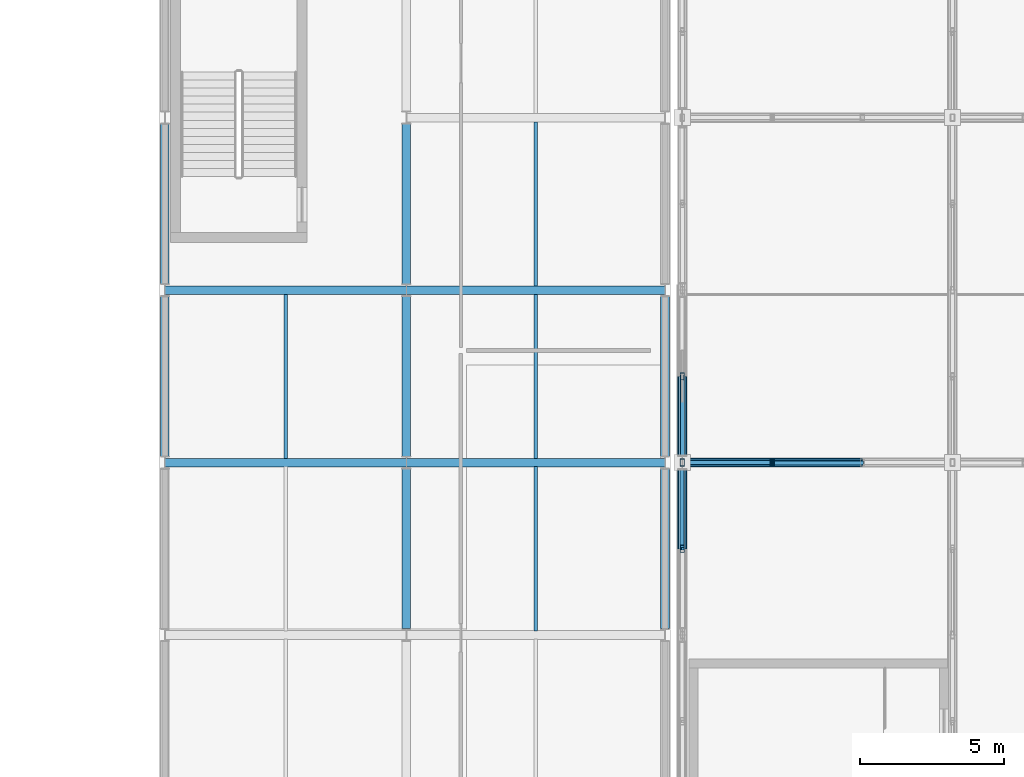
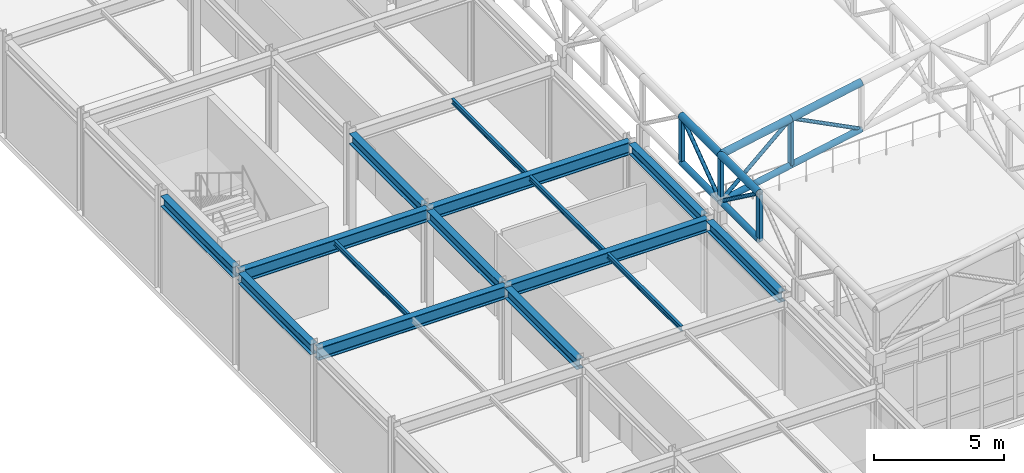
# One storey, part 46 of 112: 16 members, 15 beams.
"""IFC4 building model written with IfcOpenShell, lengths in metres."""

from ifc_helpers import new_model, si_unit, direction, frame, origin, origin_2d, place, context, subcontext, project, spatial, hollow_rectangle, hollow_circle, i_section, extrude, material, material_profile, profile_set, type_object, element, save


model = new_model("IFC4")

# Units and contexts
model_context = context("Model", 3, precision=1e-05, world=origin(), true_north=direction((0.0, 1.0)))
body_context = subcontext(model_context, "Body", "Model", "MODEL_VIEW")
ifc_project = project(units=[si_unit("LENGTHUNIT", "METRE"), si_unit("AREAUNIT", "SQUARE_METRE"), si_unit("VOLUMEUNIT", "CUBIC_METRE"), si_unit("PLANEANGLEUNIT", "RADIAN"), si_unit("MASSUNIT", "GRAM", prefix="KILO")], contexts=[model_context])

# Site, building, storey
site_placement = place(None, origin())
site = spatial("IfcSite", under=ifc_project, at=site_placement, CompositionType="ELEMENT")
building_placement = place(site_placement, origin())
building = spatial("IfcBuilding", under=site, at=building_placement, Name="Kaldris Quays Convention Centre", CompositionType="ELEMENT")
storey_placement = place(building_placement, frame((0.0, 0.0, 16.800048828125)))
storey = spatial("IfcBuildingStorey", under=building, at=storey_placement, Name="L03", CompositionType="ELEMENT", Elevation=16.800048828125)

# Beams
ifc_material_1 = material(Name="Steel S355J2", Category="steel")
ifc_material_profile_1 = material_profile(ifc_material_1, i_section(OverallWidth=0.300048828125, OverallDepth=0.590087890625, WebThickness=0.012939453125, FlangeThickness=0.02490234375, FilletRadius=0.027099609375, at=origin_2d()), Name="HEA 600")
ifc_profile_set_1 = profile_set([ifc_material_profile_1], Name="Steel S355J2")
beam_type_1 = type_object("IfcBeamType", Name="STRUCTURAL BEAM BM08", PredefinedType="BEAM", material=ifc_profile_set_1)
beam_1_placement = place(storey_placement, frame((146.60107421875, 68.0, 4.284912109375), z_axis=(1.0, 0.0, 0.0), x_axis=(0.0, 1.0, 0.0)))
element("IfcBeam", 1, at=beam_1_placement, inside=storey, type_object=beam_type_1, Name="L03 Girder BM08 30", PredefinedType="BEAM", context=body_context, shape_type="SweptSolid", body=[
    extrude(i_section(OverallWidth=0.300048828125, OverallDepth=0.590087890625, WebThickness=0.012939453125, FlangeThickness=0.02490234375, FilletRadius=0.027099609375, at=origin_2d()), origin(), (0.0, 0.0, 1.0), 8.39794921875),
])
beam_2_placement = place(storey_placement, frame((155.0009765625, 68.0, 4.284912109375), z_axis=(1.0, 0.0, 0.0), x_axis=(0.0, 1.0, 0.0)))
element("IfcBeam", 2, at=beam_2_placement, inside=storey, type_object=beam_type_1, Name="L03 Girder BM08 31", PredefinedType="BEAM", context=body_context, shape_type="SweptSolid", body=[
    extrude(i_section(OverallWidth=0.300048828125, OverallDepth=0.590087890625, WebThickness=0.012939453125, FlangeThickness=0.02490234375, FilletRadius=0.027099609375, at=origin_2d()), origin(), (0.0, 0.0, 1.0), 8.998046875),
])
beam_3_placement = place(storey_placement, frame((146.60107421875, 74.0, 4.284912109375), z_axis=(1.0, 0.0, 0.0), x_axis=(0.0, 1.0, 0.0)))
element("IfcBeam", 3, at=beam_3_placement, inside=storey, type_object=beam_type_1, Name="L03 Girder BM08 32", PredefinedType="BEAM", context=body_context, shape_type="SweptSolid", body=[
    extrude(i_section(OverallWidth=0.300048828125, OverallDepth=0.590087890625, WebThickness=0.012939453125, FlangeThickness=0.02490234375, FilletRadius=0.027099609375, at=origin_2d()), origin(), (0.0, 0.0, 1.0), 8.39794921875),
])
beam_4_placement = place(storey_placement, frame((155.0009765625, 74.0, 4.284912109375), z_axis=(1.0, 0.0, 0.0), x_axis=(0.0, 1.0, 0.0)))
element("IfcBeam", 4, at=beam_4_placement, inside=storey, type_object=beam_type_1, Name="L03 Girder BM08 33", PredefinedType="BEAM", context=body_context, shape_type="SweptSolid", body=[
    extrude(i_section(OverallWidth=0.300048828125, OverallDepth=0.590087890625, WebThickness=0.012939453125, FlangeThickness=0.02490234375, FilletRadius=0.027099609375, at=origin_2d()), origin(), (0.0, 0.0, 1.0), 8.998046875),
])
ifc_material_profile_2 = material_profile(ifc_material_1, i_section(OverallWidth=0.300048828125, OverallDepth=0.489990234375, WebThickness=0.011962890625, FlangeThickness=0.02294921875, FilletRadius=0.027099609375, at=origin_2d()), Name="HEA 500")
ifc_profile_set_2 = profile_set([ifc_material_profile_2], Name="Steel S355J2")
beam_type_2 = type_object("IfcBeamType", Name="STRUCTURAL BEAM BM09", PredefinedType="BEAM", material=ifc_profile_set_2)
for number, where, z_axis, x_axis, name in (
    (5, (146.60009765625, 68.218994140625, 4.3349609375), (0.0, 1.0, 0.0), (-1.0, 0.0, 0.0), "L03 Girder BM09 70"),
    (6, (146.60009765625, 74.218994140625, 4.3349609375), (0.0, 1.0, 0.0), (-1.0, 0.0, 0.0), "L03 Girder BM09 71"),
    (7, (155.0, 62.218994140625, 4.3349609375), (0.0, 1.0, 0.0), (-1.0, 0.0, 0.0), "L03 Girder BM09 81"),
    (8, (155.0, 68.218994140625, 4.3349609375), (0.0, 1.0, 0.0), (-1.0, 0.0, 0.0), "L03 Girder BM09 82"),
    (9, (155.0, 74.218994140625, 4.3349609375), (0.0, 1.0, 0.0), (-1.0, 0.0, 0.0), "L03 Girder BM09 83"),
    (10, (164.0, 62.218994140625, 4.3349609375), (0.0, 1.0, 0.0), (-1.0, 0.0, 0.0), "L03 Girder BM09 93"),
    (11, (164.0, 68.218994140625, 4.3349609375), (0.0, 1.0, 0.0), (-1.0, 0.0, 0.0), "L03 Girder BM09 94"),
):
    element("IfcBeam", number, at=place(storey_placement, frame(where, z_axis=z_axis, x_axis=x_axis)), inside=storey, type_object=beam_type_2, Name=name, PredefinedType="BEAM", context=body_context, shape_type="SweptSolid", body=[
        extrude(i_section(OverallWidth=0.300048828125, OverallDepth=0.489990234375, WebThickness=0.011962890625, FlangeThickness=0.02294921875, FilletRadius=0.027099609375, at=origin_2d()), origin(), (0.0, 0.0, 1.0), 5.56201171875),
    ])
ifc_material_profile_3 = material_profile(ifc_material_1, i_section(OverallWidth=0.1201171875, OverallDepth=0.239990234375, WebThickness=0.006103515625, FlangeThickness=0.009765625, FilletRadius=0.014892578125, at=origin_2d()), Name="IPE 240")
ifc_profile_set_3 = profile_set([ifc_material_profile_3], Name="Steel S355J2")
beam_type_3 = type_object("IfcBeamType", Name="STRUCTURAL BEAM JT05", PredefinedType="JOIST", material=ifc_profile_set_3)
for number, where, z_axis, x_axis, name in (
    (12, (159.5, 62.14404296875, 4.4599609375), (0.0, 1.0, 0.0), (-1.0, 0.0, 0.0), "L03 Secondary Joist JT05 15"),
    (13, (150.800048828125, 68.14404296875, 4.4599609375), (0.0, 1.0, 0.0), (-1.0, 0.0, 0.0), "L03 Secondary Joist JT05 16"),
    (14, (159.5, 68.14404296875, 4.4599609375), (0.0, 1.0, 0.0), (-1.0, 0.0, 0.0), "L03 Secondary Joist JT05 17"),
    (15, (159.5, 74.14404296875, 4.4599609375), (0.0, 1.0, 0.0), (-1.0, 0.0, 0.0), "L03 Secondary Joist JT05 18"),
):
    element("IfcBeam", number, at=place(storey_placement, frame(where, z_axis=z_axis, x_axis=x_axis)), inside=storey, type_object=beam_type_3, Name=name, PredefinedType="JOIST", context=body_context, shape_type="SweptSolid", body=[
        extrude(i_section(OverallWidth=0.1201171875, OverallDepth=0.239990234375, WebThickness=0.006103515625, FlangeThickness=0.009765625, FilletRadius=0.014892578125, at=origin_2d()), origin(), (0.0, 0.0, 1.0), 5.7119140625),
    ])

# Members
ifc_material_2 = material(Name="Steel S355J2H", Category="steel")
ifc_material_profile_4 = material_profile(ifc_material_2, hollow_circle(Radius=0.161865234375, WallThickness=0.01611328125, at=origin_2d()), Name="CHS 323.9x16")
ifc_profile_set_4 = profile_set([ifc_material_profile_4], Name="Steel S355J2H")
member_type_1 = type_object("IfcMemberType", Name="STRUCTURAL MEMBER SC03", PredefinedType="CHORD", material=ifc_profile_set_4)
member_1_placement = place(storey_placement, frame((164.60009765625, 68.0, 7.33056640625), z_axis=(0.981908086595, 0.0, 0.189358151342), x_axis=(0.0, 1.0, 0.0)))
element("IfcMember", 16, at=member_1_placement, inside=storey, type_object=member_type_1, Name="SF-V2 Top Chord X 16", PredefinedType="CHORD", context=body_context, shape_type="SweptSolid", body=[
    extrude(hollow_circle(Radius=0.161865234375, WallThickness=0.01611328125, at=origin_2d()), origin(), (0.0, 0.0, 1.0), 3.19091796875),
])
member_2_placement = place(storey_placement, frame((167.7333984375, 68.0, 7.934814453125), z_axis=(0.981893858658, 0.0, 0.189431914761), x_axis=(0.0, 1.0, 0.0)))
element("IfcMember", 17, at=member_2_placement, inside=storey, type_object=member_type_1, Name="SF-V2 Top Chord X 17", PredefinedType="CHORD", context=body_context, shape_type="SweptSolid", body=[
    extrude(hollow_circle(Radius=0.161865234375, WallThickness=0.01611328125, at=origin_2d()), origin(), (0.0, 0.0, 1.0), 3.191162109375),
])
for number, where, z_axis, x_axis, name in (
    (18, (164.60009765625, 65.0, 7.33056640625), (0.0, 1.0, 0.0), (-1.0, 0.0, 0.0), "SF-V2 Top Chord Y 79"),
    (19, (164.60009765625, 68.0, 7.33056640625), (0.0, 1.0, 0.0), (-1.0, 0.0, 0.0), "SF-V2 Top Chord Y 80"),
):
    element("IfcMember", number, at=place(storey_placement, frame(where, z_axis=z_axis, x_axis=x_axis)), inside=storey, type_object=member_type_1, Name=name, PredefinedType="CHORD", context=body_context, shape_type="SweptSolid", body=[
        extrude(hollow_circle(Radius=0.161865234375, WallThickness=0.01611328125, at=origin_2d()), origin(), (0.0, 0.0, 1.0), 3.0),
    ])
ifc_material_profile_5 = material_profile(ifc_material_2, hollow_circle(Radius=0.136474609375, WallThickness=0.012451171875, at=origin_2d()), Name="CHS 273x12.5")
ifc_profile_set_5 = profile_set([ifc_material_profile_5], Name="Steel S355J2H")
member_type_2 = type_object("IfcMemberType", Name="STRUCTURAL MEMBER SC04", PredefinedType="CHORD", material=ifc_profile_set_5)
for number, where, z_axis, x_axis, name in (
    (20, (164.60009765625, 68.0, 5.13037109375), (0.981893858658, 0.0, 0.189431914761), (0.0, 1.0, 0.0), "SF-V2 Bottom Chord X 16"),
    (21, (167.7333984375, 68.0, 5.73486328125), (0.981893858658, 0.0, 0.189431914761), (0.0, 1.0, 0.0), "SF-V2 Bottom Chord X 17"),
):
    element("IfcMember", number, at=place(storey_placement, frame(where, z_axis=z_axis, x_axis=x_axis)), inside=storey, type_object=member_type_2, Name=name, PredefinedType="CHORD", context=body_context, shape_type="SweptSolid", body=[
        extrude(hollow_circle(Radius=0.136474609375, WallThickness=0.012451171875, at=origin_2d()), origin(), (0.0, 0.0, 1.0), 3.191162109375),
    ])
for number, where, z_axis, x_axis, name in (
    (22, (164.60009765625, 65.0, 5.13037109375), (0.0, 1.0, 0.0), (-1.0, 0.0, 0.0), "SF-V2 Bottom Chord Y 79"),
    (23, (164.60009765625, 68.0, 5.13037109375), (0.0, 1.0, 0.0), (-1.0, 0.0, 0.0), "SF-V2 Bottom Chord Y 80"),
):
    element("IfcMember", number, at=place(storey_placement, frame(where, z_axis=z_axis, x_axis=x_axis)), inside=storey, type_object=member_type_2, Name=name, PredefinedType="CHORD", context=body_context, shape_type="SweptSolid", body=[
        extrude(hollow_circle(Radius=0.136474609375, WallThickness=0.012451171875, at=origin_2d()), origin(), (0.0, 0.0, 1.0), 3.0),
    ])
ifc_material_profile_6 = material_profile(ifc_material_2, hollow_circle(Radius=0.084228515625, WallThickness=0.008056640625, at=origin_2d()), Name="CHS 168.3x8")
ifc_profile_set_6 = profile_set([ifc_material_profile_6], Name="Steel S355J2H")
member_type_3 = type_object("IfcMemberType", Name="STRUCTURAL MEMBER SWB2", PredefinedType="BRACE", material=ifc_profile_set_6)
member_3_placement = place(storey_placement, frame((164.60009765625, 68.0, 5.13037109375), z_axis=(0.745127417967, 0.0, 0.666922132631), x_axis=(0.0, 1.0, 0.0)))
element("IfcMember", 24, at=member_3_placement, inside=storey, type_object=member_type_3, Name="SF-V2 Web Diagonal X 16", PredefinedType="BRACE", context=body_context, shape_type="SweptSolid", body=[
    extrude(hollow_circle(Radius=0.084228515625, WallThickness=0.008056640625, at=origin_2d()), origin(), (0.0, 0.0, 1.0), 4.205078125),
])
member_4_placement = place(storey_placement, frame((170.86669921875, 68.0, 6.33935546875), z_axis=(-0.891125852246, 0.0, 0.453756229112), x_axis=(0.0, -1.0, 0.0)))
element("IfcMember", 25, at=member_4_placement, inside=storey, type_object=member_type_3, Name="SF-V2 Web Diagonal X 17", PredefinedType="BRACE", context=body_context, shape_type="SweptSolid", body=[
    extrude(hollow_circle(Radius=0.084228515625, WallThickness=0.008056640625, at=origin_2d()), origin(), (0.0, 0.0, 1.0), 3.51611328125),
])
for number, where, z_axis, x_axis, name in (
    (26, (164.60009765625, 68.0, 5.13037109375), (0.0, -0.806379959628, 0.591397802423), (1.0, 0.0, 0.0), "SF-V2 Web Diagonal Y 79"),
    (27, (164.60009765625, 68.0, 5.13037109375), (0.0, 0.806379959628, 0.591397802423), (-1.0, 0.0, 0.0), "SF-V2 Web Diagonal Y 80"),
):
    element("IfcMember", number, at=place(storey_placement, frame(where, z_axis=z_axis, x_axis=x_axis)), inside=storey, type_object=member_type_3, Name=name, PredefinedType="BRACE", context=body_context, shape_type="SweptSolid", body=[
        extrude(hollow_circle(Radius=0.084228515625, WallThickness=0.008056640625, at=origin_2d()), origin(), (0.0, 0.0, 1.0), 3.72021484375),
    ])
ifc_material_profile_7 = material_profile(ifc_material_2, hollow_rectangle(XDim=0.14990234375, YDim=0.25, WallThickness=0.010009765625, at=origin_2d()), Name="RHS 250x150x10")
ifc_profile_set_7 = profile_set([ifc_material_profile_7], Name="Steel S355J2H")
member_type_4 = type_object("IfcMemberType", Name="STRUCTURAL MEMBER TTV1", PredefinedType="POST", material=ifc_profile_set_7)
member_5_placement = place(storey_placement, frame((164.60009765625, 65.0, 5.13037109375), z_axis=(0.0, 0.0, 1.0), x_axis=(1.0, 0.0, 0.0)))
element("IfcMember", 28, at=member_5_placement, inside=storey, type_object=member_type_4, Name="SF-V2 Space-Frame Post 4", PredefinedType="POST", context=body_context, shape_type="SweptSolid", body=[
    extrude(hollow_rectangle(XDim=0.14990234375, YDim=0.25, WallThickness=0.010009765625, at=origin_2d()), origin(), (0.0, 0.0, 1.0), 2.2001953125),
])
member_6_placement = place(storey_placement, frame((164.60009765625, 68.0, 4.993896484375), z_axis=(0.0, 0.0, 1.0), x_axis=(1.0, 0.0, 0.0)))
element("IfcMember", 29, at=member_6_placement, inside=storey, type_object=member_type_4, Name="SF-V2 Space-Frame Post 5", PredefinedType="POST", context=body_context, shape_type="SweptSolid", body=[
    extrude(hollow_rectangle(XDim=0.14990234375, YDim=0.25, WallThickness=0.010009765625, at=origin_2d()), origin(), (0.0, 0.0, 1.0), 2.336669921875),
])
member_7_placement = place(storey_placement, frame((164.60009765625, 71.0, 5.13037109375), z_axis=(0.0, 0.0, 1.0), x_axis=(1.0, 0.0, 0.0)))
element("IfcMember", 30, at=member_7_placement, inside=storey, type_object=member_type_4, Name="SF-V2 Space-Frame Post 6", PredefinedType="POST", context=body_context, shape_type="SweptSolid", body=[
    extrude(hollow_rectangle(XDim=0.14990234375, YDim=0.25, WallThickness=0.010009765625, at=origin_2d()), origin(), (0.0, 0.0, 1.0), 2.2001953125),
])
member_8_placement = place(storey_placement, frame((167.73291015625, 68.0, 5.73486328125), z_axis=(0.0, 0.0, 1.0), x_axis=(1.0, 0.0, 0.0)))
element("IfcMember", 31, at=member_8_placement, inside=storey, type_object=member_type_4, Name="SF-V2 Space-Frame Post 19", PredefinedType="POST", context=body_context, shape_type="SweptSolid", body=[
    extrude(hollow_rectangle(XDim=0.14990234375, YDim=0.25, WallThickness=0.010009765625, at=origin_2d()), origin(), (0.0, 0.0, 1.0), 2.199951171875),
])

save(model, "model.ifc")
